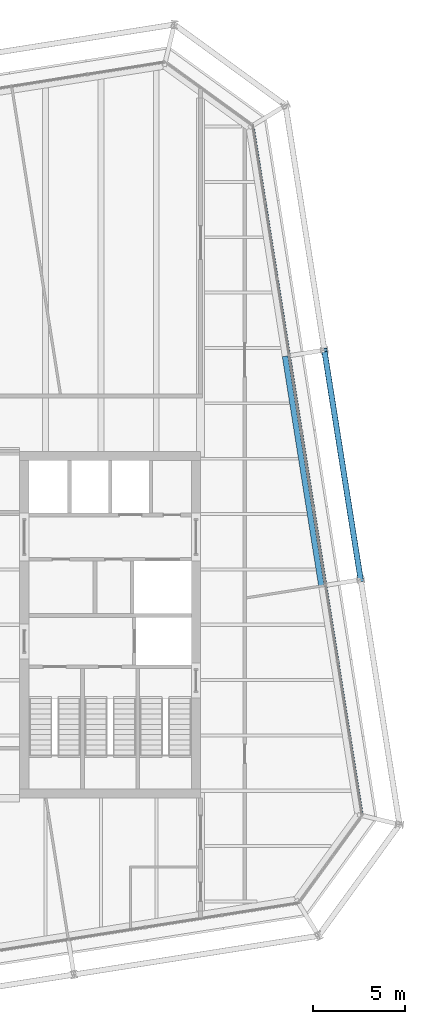
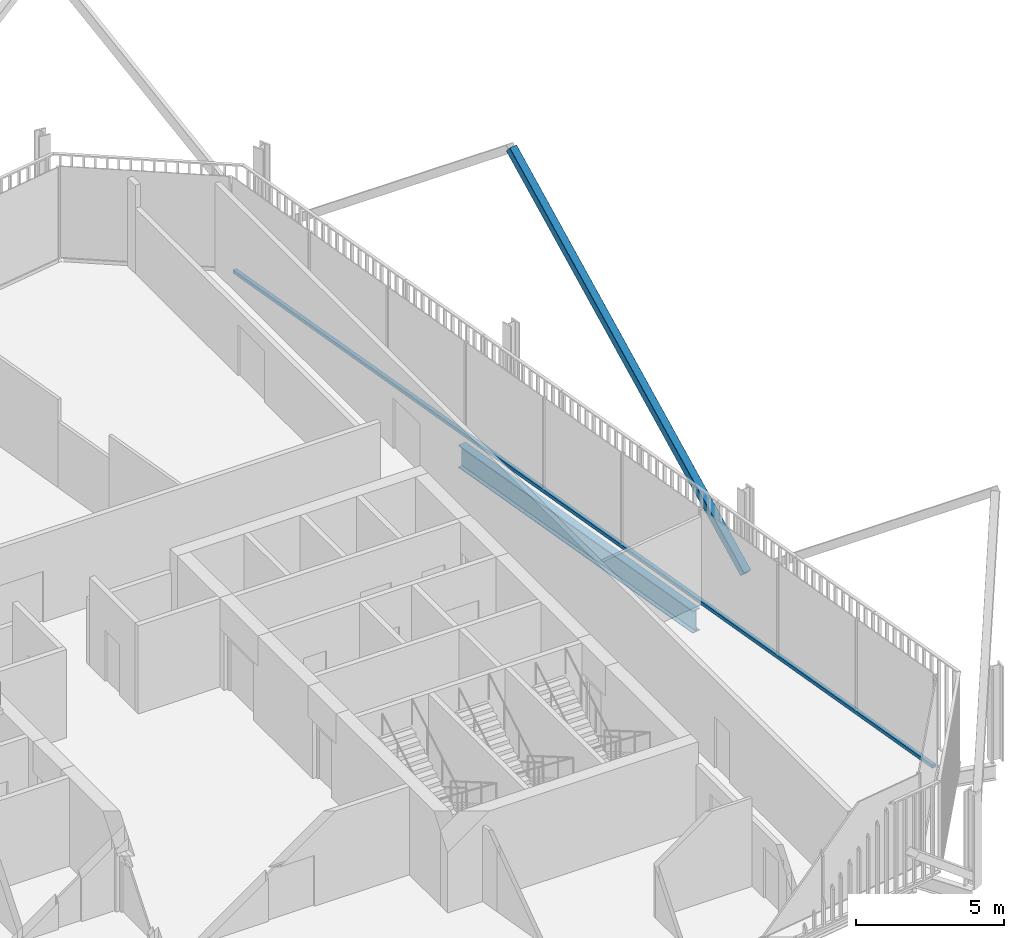
# One storey, part 10 of 21: 2 members, 1 beam, 1 element without a shape of its own.
"""IFC4 building model written with IfcOpenShell, lengths in metres."""

from ifc_helpers import new_model, si_unit, direction, frame, origin, origin_2d, place, context, subcontext, project, spatial, rectangle, hollow_rectangle, i_section, extrude, material, layer, layer_set, material_profile, profile_set, type_object, element, aggregate, save


model = new_model("IFC4")

# Units and contexts
model_context = context("Model", 3, precision=1e-05, world=origin(), true_north=direction((0.0, 1.0)))
body_context = subcontext(model_context, "Body", "Model", "MODEL_VIEW")
ifc_project = project(units=[si_unit("LENGTHUNIT", "METRE"), si_unit("AREAUNIT", "SQUARE_METRE"), si_unit("VOLUMEUNIT", "CUBIC_METRE"), si_unit("PLANEANGLEUNIT", "RADIAN"), si_unit("MASSUNIT", "GRAM", prefix="KILO")], contexts=[model_context])

# Site, building, storey
site_placement = place(None, origin())
site = spatial("IfcSite", under=ifc_project, at=site_placement, CompositionType="ELEMENT")
building_placement = place(site_placement, origin())
building = spatial("IfcBuilding", under=site, at=building_placement, Name="Millrace Tower", CompositionType="ELEMENT")
storey_placement = place(building_placement, frame((0.0, 0.0, 235.89990234375)))
storey = spatial("IfcBuildingStorey", under=building, at=storey_placement, Name="L54", CompositionType="ELEMENT", Elevation=235.89990234375)

# Curtain wall, member
ifc_material_1 = material(Name="Aluminium and glass", Category="aluminium")
ifc_layer = layer(ifc_material_1, 0.14990234375)
ifc_layer_set = layer_set([ifc_layer], Name="Aluminium and glass")
curtain_wall_type = type_object("IfcCurtainWallType", Name="CW-1 office vision curtain wall", PredefinedType="NOTDEFINED", material=ifc_layer_set)
curtain_wall_placement = place(storey_placement, origin())
curtain_wall = element("IfcCurtainWall", 1, at=curtain_wall_placement, inside=storey, type_object=curtain_wall_type, Name="Curtain wall D-F04 L54", PredefinedType="NOTDEFINED")
ifc_material_2 = material(Name="Aluminium", Category="aluminium")
ifc_material_profile_1 = material_profile(ifc_material_2, rectangle(XDim=0.14990234375, YDim=0.139892578125, at=origin_2d()))
ifc_profile_set_1 = profile_set([ifc_material_profile_1], Name="Aluminium")
member_type_1 = type_object("IfcMemberType", Name="CW-1 office vision curtain wall transom", PredefinedType="USERDEFINED", material=ifc_profile_set_1)
member_1_placement = place(storey_placement, frame((23.1318359375, -10.208740234375, 0.070068359375), z_axis=(-0.156432359726, 0.987688674042, 0.0), x_axis=(-0.987688674042, -0.156432359726, 0.0)))
member_1 = element("IfcMember", 2, at=member_1_placement, type_object=member_type_1, Name="CW1 transom D-F04.1", ObjectType="TRANSOM", PredefinedType="USERDEFINED", context=body_context, shape_type="SweptSolid", body=[
    extrude(rectangle(XDim=0.14990234375, YDim=0.139892578125, at=origin_2d()), origin(), (0.0, 0.0, 1.0), 37.599853515625),
])
aggregate(curtain_wall, [member_1])

# Member
ifc_material_3 = material(Name="Steel ASTM A500 Grade C", Category="steel")
ifc_material_profile_2 = material_profile(ifc_material_3, hollow_rectangle(XDim=0.3046875, YDim=0.3046875, WallThickness=0.009521484375, InnerFilletRadius=0.004638671875, OuterFilletRadius=0.014404296875, at=origin_2d()))
ifc_profile_set_2 = profile_set([ifc_material_profile_2], Name="Steel ASTM A500 Grade C")
member_type_2 = type_object("IfcMemberType", Name="Exoskeleton brace HSS12x12x3/8", PredefinedType="BRACE", material=ifc_profile_set_2)
member_2_placement = place(storey_placement, frame((23.07763671875, 2.4384765625, 0.400146484375), z_axis=(-0.119233176478, 0.752854197669, 0.647297463829), x_axis=(-0.987689802912, -0.156425232058, 0.0)))
element("IfcMember", 3, at=member_2_placement, inside=storey, type_object=member_type_2, Name="BRC-D-L54-07", PredefinedType="BRACE", context=body_context, shape_type="SweptSolid", body=[
    extrude(hollow_rectangle(XDim=0.3046875, YDim=0.3046875, WallThickness=0.009521484375, InnerFilletRadius=0.004638671875, OuterFilletRadius=0.014404296875, at=origin_2d()), origin(), (0.0, 0.0, 1.0), 16.5302734375),
])

# Beam
ifc_material_4 = material(Name="Steel ASTM A992 Grade 50", Category="steel")
ifc_material_profile_3 = material_profile(ifc_material_4, i_section(OverallWidth=0.307373046875, OverallDepth=0.927001953125, WebThickness=0.01953125, FlangeThickness=0.031982421875, FilletRadius=0.01904296875, at=origin_2d()))
ifc_profile_set_3 = profile_set([ifc_material_profile_3], Name="Steel ASTM A992 Grade 50")
beam_type = type_object("IfcBeamType", Name="Ring beam medium span W36x194", PredefinedType="SPANDREL", material=ifc_profile_set_3)
beam_placement = place(storey_placement, frame((18.9794921875, 14.54638671875, -0.62353515625), z_axis=(0.1564441342, -0.987686809102, 0.0), x_axis=(0.987686809102, 0.1564441342, 0.0)))
element("IfcBeam", 4, at=beam_placement, inside=storey, type_object=beam_type, Name="RNG-D-L54-S1-10", PredefinedType="SPANDREL", context=body_context, shape_type="SweptSolid", body=[
    extrude(i_section(OverallWidth=0.307373046875, OverallDepth=0.927001953125, WebThickness=0.01953125, FlangeThickness=0.031982421875, FilletRadius=0.01904296875, at=origin_2d()), origin(), (0.0, 0.0, 1.0), 12.599853515625),
])

save(model, "model.ifc")
